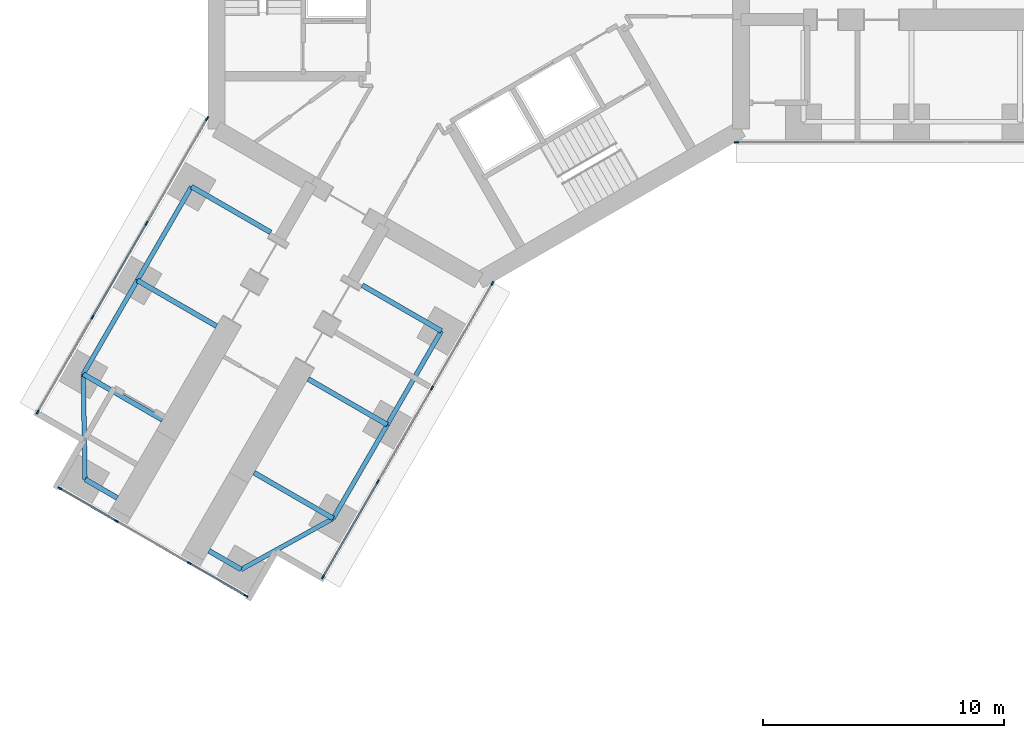
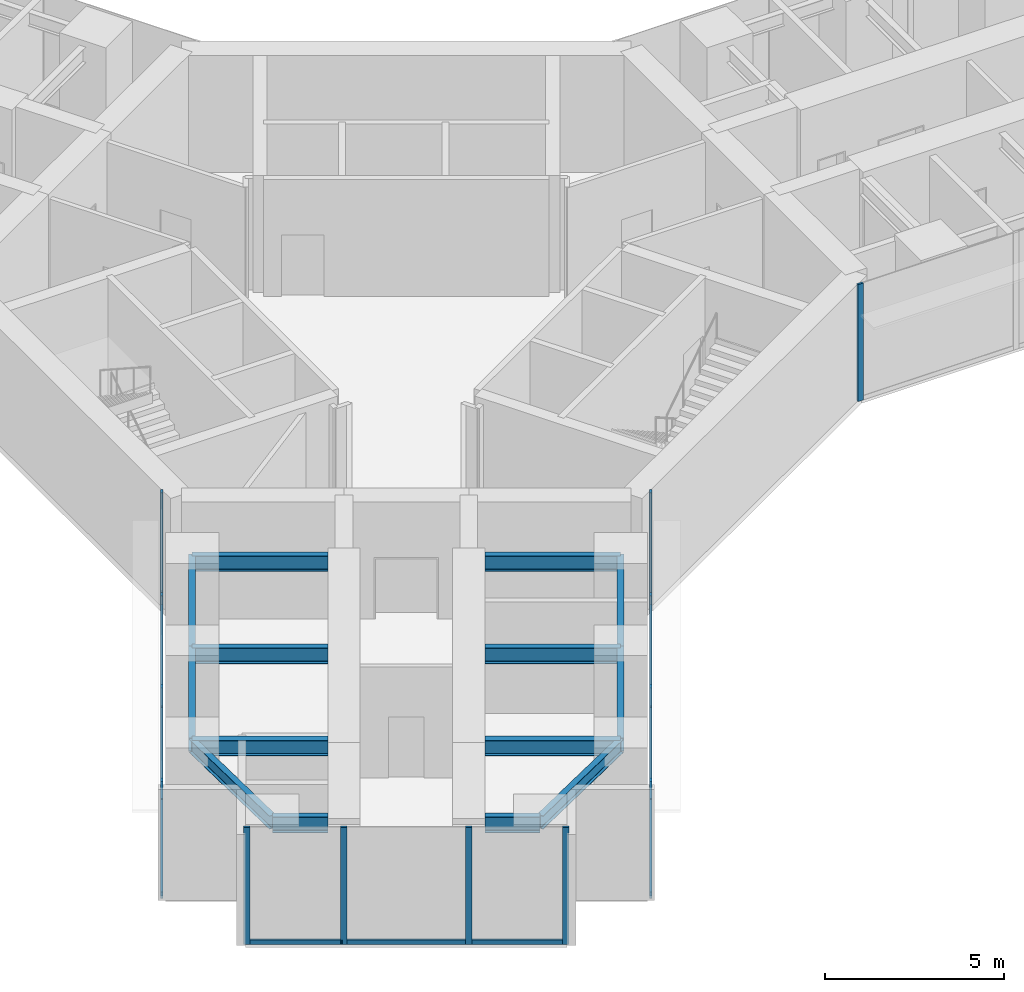
# One storey, part 2 of 23: 22 members, 14 beams, 4 elements without a shape of their own.
"""IFC4 building model written with IfcOpenShell, lengths in metres."""

from ifc_helpers import new_model, si_unit, direction, frame, origin, origin_2d, place, context, subcontext, project, spatial, rectangle, i_section, extrude, material, material_profile, profile_set, type_object, element, aggregate, save


model = new_model("IFC4")

# Units and contexts
model_context = context("Model", 3, precision=1e-05, world=origin(), true_north=direction((0.0, 1.0)))
body_context = subcontext(model_context, "Body", "Model", "MODEL_VIEW")
ifc_project = project(units=[si_unit("LENGTHUNIT", "METRE"), si_unit("AREAUNIT", "SQUARE_METRE"), si_unit("VOLUMEUNIT", "CUBIC_METRE"), si_unit("PLANEANGLEUNIT", "RADIAN"), si_unit("MASSUNIT", "GRAM", prefix="KILO")], contexts=[model_context])

# Site, building, storey
site_placement = place(None, origin())
site = spatial("IfcSite", under=ifc_project, at=site_placement, CompositionType="ELEMENT")
building_placement = place(site_placement, origin())
building = spatial("IfcBuilding", under=site, at=building_placement, Name="Upepo Twin Towers", CompositionType="ELEMENT")
storey_placement = place(building_placement, frame((0.0, 0.0, 32.5)))
storey = spatial("IfcBuildingStorey", under=building, at=storey_placement, Name="L07", CompositionType="ELEMENT", Elevation=32.5)

# Beams
ifc_material_1 = material(Name="Steel S355", Category="steel")
ifc_material_profile_1 = material_profile(ifc_material_1, i_section(OverallWidth=0.1904296875, OverallDepth=0.45703125, WebThickness=0.009033203125, FlangeThickness=0.014404296875, FilletRadius=0.01025390625, at=origin_2d()), Name="UB 457x191x74")
ifc_profile_set_1 = profile_set([ifc_material_profile_1], Name="Steel S355")
beam_type_1 = type_object("IfcBeamType", Name="Beam UB 457x191x74", PredefinedType="BEAM", material=ifc_profile_set_1)
beam_1_placement = place(storey_placement, frame((-1.553955078125, -14.69140625, 3.571533203125), z_axis=(-0.500013631625, -0.866017533419, 0.0), x_axis=(0.866017533419, -0.500013631625, 0.0)))
element("IfcBeam", 1, at=beam_1_placement, inside=storey, type_object=beam_type_1, Name="T1 edge beam CL 13.5-18.0", PredefinedType="BEAM", context=body_context, shape_type="SweptSolid", body=[
    extrude(i_section(OverallWidth=0.1904296875, OverallDepth=0.45703125, WebThickness=0.009033203125, FlangeThickness=0.014404296875, FilletRadius=0.01025390625, at=origin_2d()), origin(), (0.0, 0.0, 1.0), 4.499755859375),
])
beam_2_placement = place(storey_placement, frame((-3.803955078125, -18.58837890625, 3.571533203125), z_axis=(-0.499990139034, -0.866031096941, 0.0), x_axis=(0.866031096941, -0.499990139034, 0.0)))
element("IfcBeam", 2, at=beam_2_placement, inside=storey, type_object=beam_type_1, Name="T1 edge beam CL 18.0-22.5", PredefinedType="BEAM", context=body_context, shape_type="SweptSolid", body=[
    extrude(i_section(OverallWidth=0.1904296875, OverallDepth=0.45703125, WebThickness=0.009033203125, FlangeThickness=0.014404296875, FilletRadius=0.01025390625, at=origin_2d()), origin(), (0.0, 0.0, 1.0), 4.5),
])
beam_3_placement = place(storey_placement, frame((-6.053955078125, -22.485595703125, 3.571533203125), z_axis=(-0.874312600038, -0.485363242752, 0.0), x_axis=(0.485363242752, -0.874312600038, 0.0)))
element("IfcBeam", 3, at=beam_3_placement, inside=storey, type_object=beam_type_1, Name="T1 nose edge beam CL", PredefinedType="BEAM", context=body_context, shape_type="SweptSolid", body=[
    extrude(i_section(OverallWidth=0.1904296875, OverallDepth=0.45703125, WebThickness=0.009033203125, FlangeThickness=0.014404296875, FilletRadius=0.01025390625, at=origin_2d()), origin(), (0.0, 0.0, 1.0), 4.373046875),
])
beam_4_placement = place(storey_placement, frame((-11.946044921875, -8.69140625, 3.571533203125), z_axis=(-0.500013631625, -0.866017533419, 0.0), x_axis=(0.866017533419, -0.500013631625, 0.0)))
element("IfcBeam", 4, at=beam_4_placement, inside=storey, type_object=beam_type_1, Name="T1 edge beam CR 13.5-18.0", PredefinedType="BEAM", context=body_context, shape_type="SweptSolid", body=[
    extrude(i_section(OverallWidth=0.1904296875, OverallDepth=0.45703125, WebThickness=0.009033203125, FlangeThickness=0.014404296875, FilletRadius=0.01025390625, at=origin_2d()), origin(), (0.0, 0.0, 1.0), 4.499755859375),
])
beam_5_placement = place(storey_placement, frame((-14.196044921875, -12.58837890625, 3.571533203125), z_axis=(-0.499990139034, -0.866031096941, 0.0), x_axis=(0.866031096941, -0.499990139034, 0.0)))
element("IfcBeam", 5, at=beam_5_placement, inside=storey, type_object=beam_type_1, Name="T1 edge beam CR 18.0-22.5", PredefinedType="BEAM", context=body_context, shape_type="SweptSolid", body=[
    extrude(i_section(OverallWidth=0.1904296875, OverallDepth=0.45703125, WebThickness=0.009033203125, FlangeThickness=0.014404296875, FilletRadius=0.01025390625, at=origin_2d()), origin(), (0.0, 0.0, 1.0), 4.5),
])
beam_6_placement = place(storey_placement, frame((-16.446044921875, -16.485595703125, 3.571533203125), z_axis=(0.016803880528, -0.999858804832, 0.0), x_axis=(0.999858804832, 0.016803880528, 0.0)))
element("IfcBeam", 6, at=beam_6_placement, inside=storey, type_object=beam_type_1, Name="T1 nose edge beam CR", PredefinedType="BEAM", context=body_context, shape_type="SweptSolid", body=[
    extrude(i_section(OverallWidth=0.1904296875, OverallDepth=0.45703125, WebThickness=0.009033203125, FlangeThickness=0.014404296875, FilletRadius=0.01025390625, at=origin_2d()), origin(), (0.0, 0.0, 1.0), 4.373291015625),
])
ifc_material_2 = material(Name="Steel S355", Category="steel")
ifc_material_profile_2 = material_profile(ifc_material_2, i_section(OverallWidth=0.2099609375, OverallDepth=0.53662109375, WebThickness=0.0107421875, FlangeThickness=0.017333984375, FilletRadius=0.0126953125, at=origin_2d()), Name="UB 533x210x101")
ifc_profile_set_2 = profile_set([ifc_material_profile_2], Name="Steel S355")
beam_type_2 = type_object("IfcBeamType", Name="Beam UB 533x210x101", PredefinedType="BEAM", material=ifc_profile_set_2)
for number, where, z_axis, x_axis, name in (
    (7, (-9.87744140625, -24.608154296875, 3.53173828125), (-0.866043940782, 0.499967891604, 0.0), (-0.499967891604, -0.866043940782, 0.0), "T1 nose beam CL"),
    (8, (-16.37255859375, -20.858154296875, 3.53173828125), (0.866043940782, -0.499967891604, 0.0), (0.499967891604, 0.866043940782, 0.0), "T1 nose beam CR"),
):
    element("IfcBeam", number, at=place(storey_placement, frame(where, z_axis=z_axis, x_axis=x_axis)), inside=storey, type_object=beam_type_2, Name=name, PredefinedType="BEAM", context=body_context, shape_type="SweptSolid", body=[
        extrude(i_section(OverallWidth=0.2099609375, OverallDepth=0.53662109375, WebThickness=0.0107421875, FlangeThickness=0.017333984375, FilletRadius=0.0126953125, at=origin_2d()), origin(), (0.0, 0.0, 1.0), 1.5498046875),
    ])
ifc_material_3 = material(Name="Steel S355", Category="steel")
ifc_material_profile_3 = material_profile(ifc_material_3, i_section(OverallWidth=0.209228515625, OverallDepth=0.533203125, WebThickness=0.010009765625, FlangeThickness=0.015625, FilletRadius=0.0126953125, at=origin_2d()), Name="UB 533x210x92")
ifc_profile_set_3 = profile_set([ifc_material_profile_3], Name="Steel S355")
beam_type_3 = type_object("IfcBeamType", Name="Beam UB 533x210x92", PredefinedType="BEAM", material=ifc_profile_set_3)
beam_7_placement = place(storey_placement, frame((-1.553955078125, -14.69140625, 3.533447265625), z_axis=(-0.866000483506, 0.500043160704, 0.0), x_axis=(-0.500043160704, -0.866000483506, 0.0)))
element("IfcBeam", 9, at=beam_7_placement, inside=storey, type_object=beam_type_3, Name="T1 girder CL at 13.5", PredefinedType="BEAM", context=body_context, shape_type="SweptSolid", body=[
    extrude(i_section(OverallWidth=0.209228515625, OverallDepth=0.533203125, WebThickness=0.010009765625, FlangeThickness=0.015625, FilletRadius=0.0126953125, at=origin_2d()), origin(), (0.0, 0.0, 1.0), 3.800048828125),
])
for number, where, z_axis, x_axis, name in (
    (10, (-3.803955078125, -18.58837890625, 3.533447265625), (-0.866028304915, 0.499994975061, 0.0), (-0.499994975061, -0.866028304915, 0.0), "T1 girder CL at 18.0"),
    (11, (-6.053955078125, -22.485595703125, 3.533447265625), (-0.866028304915, 0.499994975061, 0.0), (-0.499994975061, -0.866028304915, 0.0), "T1 girder CL at 22.5"),
    (12, (-11.946044921875, -8.69140625, 3.533447265625), (0.866028304915, -0.499994975061, 0.0), (0.499994975061, 0.866028304915, 0.0), "T1 girder CR at 13.5"),
):
    element("IfcBeam", number, at=place(storey_placement, frame(where, z_axis=z_axis, x_axis=x_axis)), inside=storey, type_object=beam_type_3, Name=name, PredefinedType="BEAM", context=body_context, shape_type="SweptSolid", body=[
        extrude(i_section(OverallWidth=0.209228515625, OverallDepth=0.533203125, WebThickness=0.010009765625, FlangeThickness=0.015625, FilletRadius=0.0126953125, at=origin_2d()), origin(), (0.0, 0.0, 1.0), 3.7998046875),
    ])
beam_8_placement = place(storey_placement, frame((-14.196044921875, -12.58837890625, 3.533447265625), z_axis=(0.866000483506, -0.500043160704, 0.0), x_axis=(0.500043160704, 0.866000483506, 0.0)))
element("IfcBeam", 13, at=beam_8_placement, inside=storey, type_object=beam_type_3, Name="T1 girder CR at 18.0", PredefinedType="BEAM", context=body_context, shape_type="SweptSolid", body=[
    extrude(i_section(OverallWidth=0.209228515625, OverallDepth=0.533203125, WebThickness=0.010009765625, FlangeThickness=0.015625, FilletRadius=0.0126953125, at=origin_2d()), origin(), (0.0, 0.0, 1.0), 3.800048828125),
])
beam_9_placement = place(storey_placement, frame((-16.446044921875, -16.485595703125, 3.533447265625), z_axis=(0.866028304915, -0.499994975061, 0.0), x_axis=(0.499994975061, 0.866028304915, 0.0)))
element("IfcBeam", 14, at=beam_9_placement, inside=storey, type_object=beam_type_3, Name="T1 girder CR at 22.5", PredefinedType="BEAM", context=body_context, shape_type="SweptSolid", body=[
    extrude(i_section(OverallWidth=0.209228515625, OverallDepth=0.533203125, WebThickness=0.010009765625, FlangeThickness=0.015625, FilletRadius=0.0126953125, at=origin_2d()), origin(), (0.0, 0.0, 1.0), 3.7998046875),
])

# Curtain wall, member
ifc_material_4 = material(Name="Aluminium and fritted glass", Category="aluminium")
curtain_wall_type = type_object("IfcCurtainWallType", Name="Tower curtain wall TW1, fritted glass", PredefinedType="NOTDEFINED", material=ifc_material_4)
curtain_wall_1_placement = place(storey_placement, origin())
curtain_wall_1 = element("IfcCurtainWall", 15, at=curtain_wall_1_placement, inside=storey, type_object=curtain_wall_type, Name="T1 L07 wing A flank R curtain wall", PredefinedType="NOTDEFINED")
ifc_material_5 = material(Name="Aluminium mullion", Category="aluminium")
ifc_material_profile_4 = material_profile(ifc_material_5, rectangle(XDim=0.06494140625, YDim=0.179931640625, at=origin_2d()), Name="MULLION 65x180")
ifc_profile_set_4 = profile_set([ifc_material_profile_4], Name="Aluminium mullion")
member_type_1 = type_object("IfcMemberType", Name="Mullion 65x180 TW1", PredefinedType="MULLION", material=ifc_profile_set_4)
member_1_placement = place(storey_placement, frame((10.7197265625, -6.85009765625, 0.0), z_axis=(0.0, 0.0, 1.0), x_axis=(0.0, -1.0, 0.0)))
member_1 = element("IfcMember", 16, at=member_1_placement, type_object=member_type_1, Name="T1 L07 wing A flank R curtain wall mullion 4", PredefinedType="MULLION", context=body_context, shape_type="SweptSolid", body=[
    extrude(rectangle(XDim=0.06494140625, YDim=0.179931640625, at=origin_2d()), origin(), (0.0, 0.0, 1.0), 4.0),
])
aggregate(curtain_wall_1, [member_1])

# Curtain wall, members
curtain_wall_2_placement = place(storey_placement, origin())
curtain_wall_2 = element("IfcCurtainWall", 17, at=curtain_wall_2_placement, inside=storey, type_object=curtain_wall_type, Name="T1 L07 wing C flank L curtain wall", PredefinedType="NOTDEFINED")
member_2_placement = place(storey_placement, frame((0.572509765625, -12.70849609375, 0.0), z_axis=(0.0, 0.0, 1.0), x_axis=(0.866025389682, -0.500000024426, 0.0)))
member_2 = element("IfcMember", 18, at=member_2_placement, type_object=member_type_1, Name="T1 L07 wing C flank L curtain wall mullion 1", PredefinedType="MULLION", context=body_context, shape_type="SweptSolid", body=[
    extrude(rectangle(XDim=0.06494140625, YDim=0.179931640625, at=origin_2d()), origin(), (0.0, 0.0, 1.0), 4.0),
])
member_3_placement = place(storey_placement, frame((-1.942626953125, -17.06494140625, 0.0), z_axis=(0.0, 0.0, 1.0), x_axis=(0.866025389682, -0.500000024426, 0.0)))
member_3 = element("IfcMember", 19, at=member_3_placement, type_object=member_type_1, Name="T1 L07 wing C flank L curtain wall mullion 2", PredefinedType="MULLION", context=body_context, shape_type="SweptSolid", body=[
    extrude(rectangle(XDim=0.06494140625, YDim=0.179931640625, at=origin_2d()), origin(), (0.0, 0.0, 1.0), 4.0),
])
member_4_placement = place(storey_placement, frame((-4.192626953125, -20.9619140625, 0.0), z_axis=(0.0, 0.0, 1.0), x_axis=(0.866025389682, -0.500000024426, 0.0)))
member_4 = element("IfcMember", 20, at=member_4_placement, type_object=member_type_1, Name="T1 L07 wing C flank L curtain wall mullion 3", PredefinedType="MULLION", context=body_context, shape_type="SweptSolid", body=[
    extrude(rectangle(XDim=0.06494140625, YDim=0.179931640625, at=origin_2d()), origin(), (0.0, 0.0, 1.0), 4.0),
])
member_5_placement = place(storey_placement, frame((-6.4765625, -24.91748046875, 0.0), z_axis=(0.0, 0.0, 1.0), x_axis=(0.866025389682, -0.500000024426, 0.0)))
member_5 = element("IfcMember", 21, at=member_5_placement, type_object=member_type_1, Name="T1 L07 wing C flank L curtain wall mullion 4", PredefinedType="MULLION", context=body_context, shape_type="SweptSolid", body=[
    extrude(rectangle(XDim=0.06494140625, YDim=0.179931640625, at=origin_2d()), origin(), (0.0, 0.0, 1.0), 4.0),
])

curtain_wall_3_placement = place(storey_placement, origin())
curtain_wall_3 = element("IfcCurtainWall", 22, at=curtain_wall_3_placement, inside=storey, type_object=curtain_wall_type, Name="T1 L07 wing C flank R curtain wall", PredefinedType="NOTDEFINED")
member_6_placement = place(storey_placement, frame((-18.341064453125, -18.067626953125, 0.0), z_axis=(0.0, 0.0, 1.0), x_axis=(-0.866025389682, 0.500000024426, 0.0)))
member_6 = element("IfcMember", 23, at=member_6_placement, type_object=member_type_1, Name="T1 L07 wing C flank R curtain wall mullion 1", PredefinedType="MULLION", context=body_context, shape_type="SweptSolid", body=[
    extrude(rectangle(XDim=0.06494140625, YDim=0.179931640625, at=origin_2d()), origin(), (0.0, 0.0, 1.0), 4.0),
])
member_7_placement = place(storey_placement, frame((-16.057373046875, -14.112060546875, 0.0), z_axis=(0.0, 0.0, 1.0), x_axis=(-0.866025389682, 0.500000024426, 0.0)))
member_7 = element("IfcMember", 24, at=member_7_placement, type_object=member_type_1, Name="T1 L07 wing C flank R curtain wall mullion 2", PredefinedType="MULLION", context=body_context, shape_type="SweptSolid", body=[
    extrude(rectangle(XDim=0.06494140625, YDim=0.179931640625, at=origin_2d()), origin(), (0.0, 0.0, 1.0), 4.0),
])
member_8_placement = place(storey_placement, frame((-13.807373046875, -10.21484375, 0.0), z_axis=(0.0, 0.0, 1.0), x_axis=(-0.866025389682, 0.500000024426, 0.0)))
member_8 = element("IfcMember", 25, at=member_8_placement, type_object=member_type_1, Name="T1 L07 wing C flank R curtain wall mullion 3", PredefinedType="MULLION", context=body_context, shape_type="SweptSolid", body=[
    extrude(rectangle(XDim=0.06494140625, YDim=0.179931640625, at=origin_2d()), origin(), (0.0, 0.0, 1.0), 4.0),
])
member_9_placement = place(storey_placement, frame((-11.2919921875, -5.8583984375, 0.0), z_axis=(0.0, 0.0, 1.0), x_axis=(-0.866025389682, 0.500000024426, 0.0)))
member_9 = element("IfcMember", 26, at=member_9_placement, type_object=member_type_1, Name="T1 L07 wing C flank R curtain wall mullion 4", PredefinedType="MULLION", context=body_context, shape_type="SweptSolid", body=[
    extrude(rectangle(XDim=0.06494140625, YDim=0.179931640625, at=origin_2d()), origin(), (0.0, 0.0, 1.0), 4.0),
])

curtain_wall_4_placement = place(storey_placement, origin())
curtain_wall_4 = element("IfcCurtainWall", 27, at=curtain_wall_4_placement, inside=storey, type_object=curtain_wall_type, Name="T1 L07 wing C nose curtain wall", PredefinedType="NOTDEFINED")
member_10_placement = place(storey_placement, frame((-17.4189453125, -21.235595703125, 0.0), z_axis=(0.0, 0.0, 1.0), x_axis=(0.500000030502, 0.866025386174, 0.0)))
member_10 = element("IfcMember", 28, at=member_10_placement, type_object=member_type_1, Name="T1 L07 wing C nose curtain wall mullion 1", PredefinedType="MULLION", context=body_context, shape_type="SweptSolid", body=[
    extrude(rectangle(XDim=0.06494140625, YDim=0.179931640625, at=origin_2d()), origin(), (0.0, 0.0, 1.0), 4.0),
])
member_11_placement = place(storey_placement, frame((-15.0654296875, -22.59423828125, 0.0), z_axis=(0.0, 0.0, 1.0), x_axis=(0.500000030502, 0.866025386174, 0.0)))
member_11 = element("IfcMember", 29, at=member_11_placement, type_object=member_type_1, Name="T1 L07 wing C nose curtain wall mullion 2", PredefinedType="MULLION", context=body_context, shape_type="SweptSolid", body=[
    extrude(rectangle(XDim=0.06494140625, YDim=0.179931640625, at=origin_2d()), origin(), (0.0, 0.0, 1.0), 4.0),
])
member_12_placement = place(storey_placement, frame((-12.034423828125, -24.34423828125, 0.0), z_axis=(0.0, 0.0, 1.0), x_axis=(0.500000030502, 0.866025386174, 0.0)))
member_12 = element("IfcMember", 30, at=member_12_placement, type_object=member_type_1, Name="T1 L07 wing C nose curtain wall mullion 3", PredefinedType="MULLION", context=body_context, shape_type="SweptSolid", body=[
    extrude(rectangle(XDim=0.06494140625, YDim=0.179931640625, at=origin_2d()), origin(), (0.0, 0.0, 1.0), 4.0),
])
member_13_placement = place(storey_placement, frame((-9.68115234375, -25.703125, 0.0), z_axis=(0.0, 0.0, 1.0), x_axis=(0.500000030502, 0.866025386174, 0.0)))
member_13 = element("IfcMember", 31, at=member_13_placement, type_object=member_type_1, Name="T1 L07 wing C nose curtain wall mullion 4", PredefinedType="MULLION", context=body_context, shape_type="SweptSolid", body=[
    extrude(rectangle(XDim=0.06494140625, YDim=0.179931640625, at=origin_2d()), origin(), (0.0, 0.0, 1.0), 4.0),
])

# Member
ifc_material_6 = material(Name="Aluminium transom", Category="aluminium")
ifc_material_profile_5 = material_profile(ifc_material_6, rectangle(XDim=0.06494140625, YDim=0.14990234375, at=origin_2d()), Name="TRANSOM 65x150")
ifc_profile_set_5 = profile_set([ifc_material_profile_5], Name="Aluminium transom")
member_type_2 = type_object("IfcMemberType", Name="Transom 65x150 TW1", PredefinedType="USERDEFINED", material=ifc_profile_set_5)
member_14_placement = place(storey_placement, frame((0.55615234375, -12.736572265625, 0.074951171875), z_axis=(-0.499983492876, -0.866034933967, 0.0), x_axis=(0.866034933967, -0.499983492876, 0.0)))
member_14 = element("IfcMember", 32, at=member_14_placement, type_object=member_type_2, Name="T1 L07 wing C flank L curtain wall transom 1", ObjectType="TRANSOM", PredefinedType="USERDEFINED", context=body_context, shape_type="SweptSolid", body=[
    extrude(rectangle(XDim=0.06494140625, YDim=0.14990234375, at=origin_2d()), origin(), (0.0, 0.0, 1.0), 4.965576171875),
])

member_15_placement = place(storey_placement, frame((-1.958984375, -17.093017578125, 0.074951171875), z_axis=(-0.500005184116, -0.866022410713, 0.0), x_axis=(0.866022410713, -0.500005184116, 0.0)))
member_15 = element("IfcMember", 33, at=member_15_placement, type_object=member_type_2, Name="T1 L07 wing C flank L curtain wall transom 2", ObjectType="TRANSOM", PredefinedType="USERDEFINED", context=body_context, shape_type="SweptSolid", body=[
    extrude(rectangle(XDim=0.06494140625, YDim=0.14990234375, at=origin_2d()), origin(), (0.0, 0.0, 1.0), 4.43505859375),
])

member_16_placement = place(storey_placement, frame((-4.208984375, -20.990234375, 0.074951171875), z_axis=(-0.500005646842, -0.866022143554, 0.0), x_axis=(0.866022143554, -0.500005646842, 0.0)))
member_16 = element("IfcMember", 34, at=member_16_placement, type_object=member_type_2, Name="T1 L07 wing C flank L curtain wall transom 3", ObjectType="TRANSOM", PredefinedType="USERDEFINED", context=body_context, shape_type="SweptSolid", body=[
    extrude(rectangle(XDim=0.06494140625, YDim=0.14990234375, at=origin_2d()), origin(), (0.0, 0.0, 1.0), 4.50244140625),
])

aggregate(curtain_wall_2, [member_2, member_3, member_4, member_5, member_14, member_15, member_16])

member_17_placement = place(storey_placement, frame((-18.32470703125, -18.03955078125, 0.074951171875), z_axis=(0.499982167615, 0.866035699072, 0.0), x_axis=(-0.866035699072, 0.499982167615, 0.0)))
member_17 = element("IfcMember", 35, at=member_17_placement, type_object=member_type_2, Name="T1 L07 wing C flank R curtain wall transom 1", ObjectType="TRANSOM", PredefinedType="USERDEFINED", context=body_context, shape_type="SweptSolid", body=[
    extrude(rectangle(XDim=0.06494140625, YDim=0.14990234375, at=origin_2d()), origin(), (0.0, 0.0, 1.0), 4.502685546875),
])

member_18_placement = place(storey_placement, frame((-16.041015625, -14.083984375, 0.074951171875), z_axis=(0.500005184116, 0.866022410713, 0.0), x_axis=(-0.866022410713, 0.500005184116, 0.0)))
member_18 = element("IfcMember", 36, at=member_18_placement, type_object=member_type_2, Name="T1 L07 wing C flank R curtain wall transom 2", ObjectType="TRANSOM", PredefinedType="USERDEFINED", context=body_context, shape_type="SweptSolid", body=[
    extrude(rectangle(XDim=0.06494140625, YDim=0.14990234375, at=origin_2d()), origin(), (0.0, 0.0, 1.0), 4.43505859375),
])

member_19_placement = place(storey_placement, frame((-13.791015625, -10.186767578125, 0.074951171875), z_axis=(0.50000478328, 0.866022642139, 0.0), x_axis=(-0.866022642139, 0.50000478328, 0.0)))
member_19 = element("IfcMember", 37, at=member_19_placement, type_object=member_type_2, Name="T1 L07 wing C flank R curtain wall transom 3", ObjectType="TRANSOM", PredefinedType="USERDEFINED", context=body_context, shape_type="SweptSolid", body=[
    extrude(rectangle(XDim=0.06494140625, YDim=0.14990234375, at=origin_2d()), origin(), (0.0, 0.0, 1.0), 4.96533203125),
])

aggregate(curtain_wall_3, [member_6, member_7, member_8, member_9, member_17, member_18, member_19])

member_20_placement = place(storey_placement, frame((-17.390869140625, -21.251708984375, 0.074951171875), z_axis=(0.865997053448, -0.500049101008, 0.0), x_axis=(0.500049101008, 0.865997053448, 0.0)))
member_20 = element("IfcMember", 38, at=member_20_placement, type_object=member_type_2, Name="T1 L07 wing C nose curtain wall transom 1", ObjectType="TRANSOM", PredefinedType="USERDEFINED", context=body_context, shape_type="SweptSolid", body=[
    extrude(rectangle(XDim=0.06494140625, YDim=0.14990234375, at=origin_2d()), origin(), (0.0, 0.0, 1.0), 2.652587890625),
])

member_21_placement = place(storey_placement, frame((-15.037353515625, -22.610595703125, 0.074951171875), z_axis=(0.866025804792, -0.499999305434, 0.0), x_axis=(0.499999305434, 0.866025804792, 0.0)))
member_21 = element("IfcMember", 39, at=member_21_placement, type_object=member_type_2, Name="T1 L07 wing C nose curtain wall transom 2", ObjectType="TRANSOM", PredefinedType="USERDEFINED", context=body_context, shape_type="SweptSolid", body=[
    extrude(rectangle(XDim=0.06494140625, YDim=0.14990234375, at=origin_2d()), origin(), (0.0, 0.0, 1.0), 3.43505859375),
])

member_22_placement = place(storey_placement, frame((-12.00634765625, -24.360595703125, 0.074951171875), z_axis=(0.866036909293, -0.499980071345, 0.0), x_axis=(0.499980071345, 0.866036909293, 0.0)))
member_22 = element("IfcMember", 40, at=member_22_placement, type_object=member_type_2, Name="T1 L07 wing C nose curtain wall transom 3", ObjectType="TRANSOM", PredefinedType="USERDEFINED", context=body_context, shape_type="SweptSolid", body=[
    extrude(rectangle(XDim=0.06494140625, YDim=0.14990234375, at=origin_2d()), origin(), (0.0, 0.0, 1.0), 2.65234375),
])

aggregate(curtain_wall_4, [member_10, member_11, member_12, member_13, member_20, member_21, member_22])

save(model, "model.ifc")
